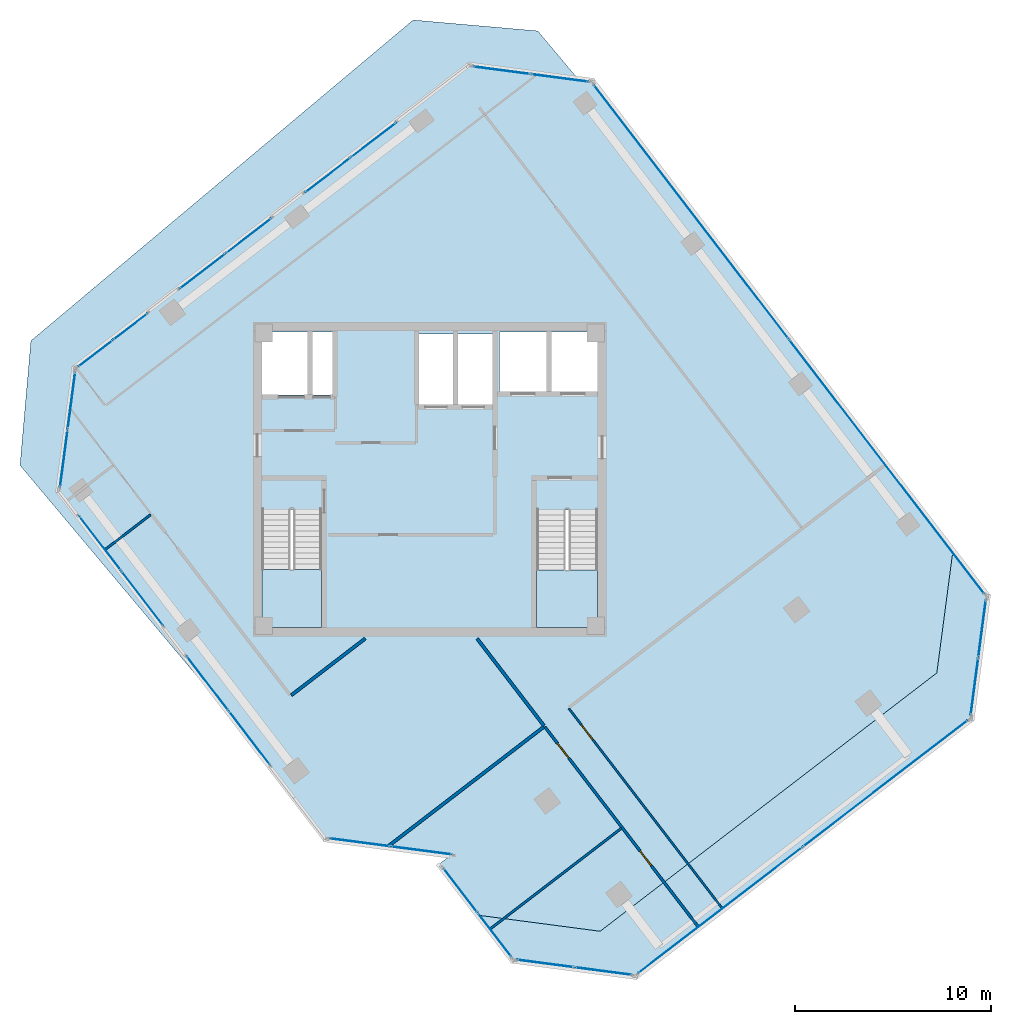
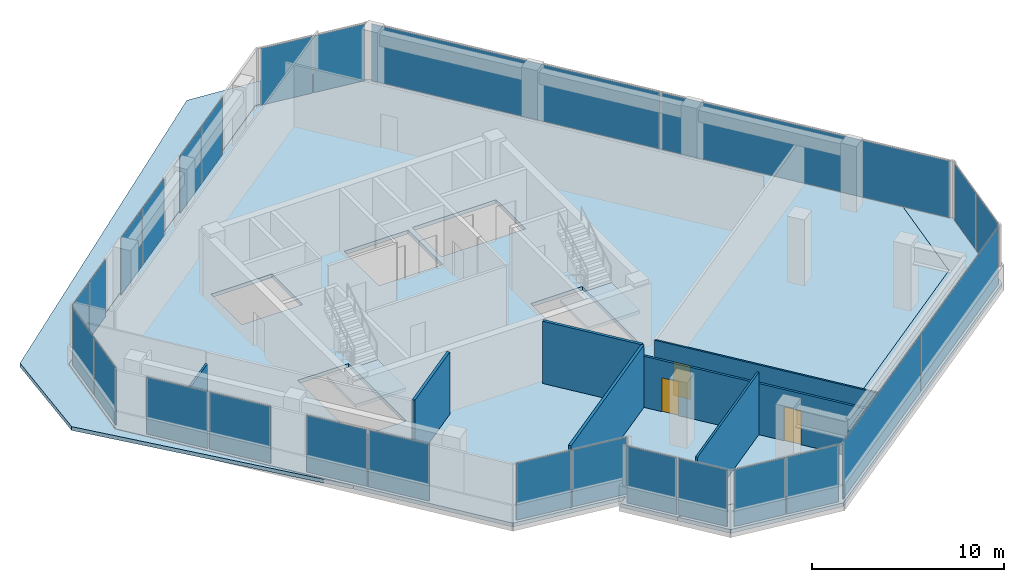
# One storey, part 12 of 17: 26 plates, 7 walls, 5 slabs, 3 doors, 3 openings, 15 elements without a shape of their own.
"""IFC4 building model written with IfcOpenShell, lengths in metres."""

from ifc_helpers import new_model, si_unit, direction, frame, frame_2d, origin, origin_2d, place, context, subcontext, project, spatial, polyline, rectangle, outline, extrude, source, transform, mapped, material, layer, layer_set, type_object, element, fill, aggregate, save


model = new_model("IFC4")

# Units and contexts
model_context = context("Model", 3, precision=1e-05, world=origin(), true_north=direction((0.0, 1.0)))
body_context = subcontext(model_context, "Body", "Model", "MODEL_VIEW")
ifc_project = project(units=[si_unit("LENGTHUNIT", "METRE"), si_unit("AREAUNIT", "SQUARE_METRE"), si_unit("VOLUMEUNIT", "CUBIC_METRE"), si_unit("PLANEANGLEUNIT", "RADIAN"), si_unit("MASSUNIT", "GRAM", prefix="KILO")], contexts=[model_context])

# Site, building, storey
site_placement = place(None, origin())
site = spatial("IfcSite", under=ifc_project, at=site_placement, CompositionType="ELEMENT")
building_placement = place(site_placement, origin())
building = spatial("IfcBuilding", under=site, at=building_placement, Name="Torre Montelarca", CompositionType="ELEMENT")
storey_placement = place(building_placement, frame((0.0, 0.0, 279.39990234375)))
storey = spatial("IfcBuildingStorey", under=building, at=storey_placement, Name="L63", CompositionType="ELEMENT", Elevation=279.39990234375)

# Slabs
ifc_material_1 = material(Name="Concrete C40/50", Category="concrete")
ifc_layer_1 = layer(ifc_material_1, 0.239990234375, Name="Concrete C40/50", Category="concrete")
ifc_layer_set_1 = layer_set([ifc_layer_1], Name="Concrete C40/50")
slab_type_1 = type_object("IfcSlabType", Name="SL-FLR-240", PredefinedType="FLOOR", material=ifc_layer_set_1)
slab_1_placement = place(storey_placement, frame((0.0, 0.0, -0.239990234375)))
element("IfcSlab", 1, at=slab_1_placement, inside=storey, type_object=slab_type_1, Name="L63 Structural Floor Slab", PredefinedType="FLOOR", context=body_context, shape_type="SweptSolid", body=[
    extrude(outline(polyline([(12.66162109375, 13.62158203125), (18.97119140625, 12.791015625), (18.415771484375, 12.364990234375), (20.36376953125, 9.826171875), (26.67333984375, 8.99560546875), (43.809814453125, 22.144775390625), (44.640380859375, 28.454345703125), (26.316650390625, 52.334228515625), (20.007080078125, 53.164794921875), (-0.14404296875, 37.702392578125), (-0.974609375, 31.392822265625), (12.66162109375, 13.62158203125)]), holes=[polyline([(26.550048828125, 24.449951171875), (23.43994140625, 24.449951171875), (23.43994140625, 30.429931640625), (26.550048828125, 30.429931640625), (26.550048828125, 24.449951171875)]), polyline([(12.5, 24.449951171875), (9.449951171875, 24.449951171875), (9.449951171875, 30.4599609375), (12.5, 30.4599609375), (12.5, 24.449951171875)]), polyline([(21.25, 39.39990234375), (21.25, 35.800048828125), (17.39990234375, 35.800048828125), (17.39990234375, 39.39990234375), (21.25, 39.39990234375)]), polyline([(13.1201171875, 36.300048828125), (9.449951171875, 36.300048828125), (9.449951171875, 39.5), (13.1201171875, 39.5), (13.1201171875, 36.300048828125)]), polyline([(26.60009765625, 36.449951171875), (21.550048828125, 36.449951171875), (21.550048828125, 39.5), (26.60009765625, 39.5), (26.60009765625, 36.449951171875)])]), origin(), (0.0, 0.0, 1.0), 0.239990234375),
])
slab_2_placement = place(storey_placement, frame((0.0, 0.0, -0.239990234375)))
element("IfcSlab", 2, at=slab_2_placement, inside=storey, type_object=slab_type_1, Name="L63 Sliding Tray Winter Garden Floor Slab E1", PredefinedType="FLOOR", context=body_context, shape_type="SweptSolid", body=[
    extrude(outline(polyline([(44.640380859375, 28.454345703125), (43.809814453125, 22.144775390625), (26.67333984375, 8.99560546875), (20.36376953125, 9.826171875), (22.190185546875, 7.446044921875), (28.49951171875, 6.615478515625), (45.635986328125, 19.7646484375), (46.466796875, 26.07421875), (44.640380859375, 28.454345703125)])), origin(), (0.0, 0.0, 1.0), 0.239990234375),
])
ifc_material_2 = material(Name="Architectural concrete C40/50", Category="concrete")
ifc_layer_2 = layer(ifc_material_2, 0.239990234375, Name="Architectural concrete C40/50", Category="concrete")
ifc_layer_set_2 = layer_set([ifc_layer_2], Name="Architectural concrete C40/50")
slab_type_2 = type_object("IfcSlabType", Name="SL-ROOF-EXT-240", PredefinedType="ROOF", material=ifc_layer_set_2)
slab_3_placement = place(storey_placement, frame((0.0, 0.0, -0.239990234375)))
element("IfcSlab", 3, at=slab_3_placement, inside=storey, type_object=slab_type_2, Name="L62 Setback and Tray Overhang Roof Cap Slab 01", PredefinedType="ROOF", context=body_context, shape_type="SweptSolid", body=[
    extrude(outline(polyline([(-0.983154296875, 31.390625), (-0.151611328125, 37.70654296875), (20.0048828125, 53.17333984375), (25.48681640625, 52.451416015625), (23.496826171875, 54.822998046875), (17.156982421875, 55.377685546875), (-2.300537109375, 39.05078125), (-2.855224609375, 32.711181640625), (7.18505859375, 20.74560546875), (-0.983154296875, 31.390625)])), origin(), (0.0, 0.0, 1.0), 0.239990234375),
])

# Stair, slab
stair_type_1 = type_object("IfcStairType", Name="ST-CORE-ST1", PredefinedType="HALF_TURN_STAIR", material=ifc_material_1)
stair_1_placement = place(storey_placement, origin())
stair_1 = element("IfcStair", 4, at=stair_1_placement, inside=storey, type_object=stair_type_1, Name="L63 Protected Exit Stair ST1", PredefinedType="HALF_TURN_STAIR")
ifc_layer_3 = layer(ifc_material_1, 0.199951171875, Name="Concrete C40/50", Category="concrete")
ifc_layer_set_3 = layer_set([ifc_layer_3], Name="Concrete C40/50")
slab_type_3 = type_object("IfcSlabType", Name="SL-ST-LAND-ST1", PredefinedType="LANDING", material=ifc_layer_set_3)
slab_4_placement = place(storey_placement, frame((0.0, 0.0, 1.900146484375)))
slab_4 = element("IfcSlab", 5, at=slab_4_placement, type_object=slab_type_3, Name="ST1 landing 1", PredefinedType="LANDING", context=body_context, shape_type="SweptSolid", body=[
    extrude(outline(polyline([(9.449951171875, 27.419921875), (9.449951171875, 24.449951171875), (12.5, 24.449951171875), (12.5, 27.419921875), (9.449951171875, 27.419921875)])), origin(), (0.0, 0.0, 1.0), 0.199951171875),
])
aggregate(stair_1, [slab_4])

stair_type_2 = type_object("IfcStairType", Name="ST-CORE-ST2", PredefinedType="HALF_TURN_STAIR", material=ifc_material_1)
stair_2_placement = place(storey_placement, origin())
stair_2 = element("IfcStair", 6, at=stair_2_placement, inside=storey, type_object=stair_type_2, Name="L63 Protected Exit Stair ST2", PredefinedType="HALF_TURN_STAIR")
ifc_layer_4 = layer(ifc_material_1, 0.199951171875, Name="Concrete C40/50", Category="concrete")
ifc_layer_set_4 = layer_set([ifc_layer_4], Name="Concrete C40/50")
slab_type_4 = type_object("IfcSlabType", Name="SL-ST-LAND-ST2", PredefinedType="LANDING", material=ifc_layer_set_4)
slab_5_placement = place(storey_placement, frame((0.0, 0.0, 1.900146484375)))
slab_5 = element("IfcSlab", 7, at=slab_5_placement, type_object=slab_type_4, Name="ST2 landing 1", PredefinedType="LANDING", context=body_context, shape_type="SweptSolid", body=[
    extrude(outline(polyline([(23.43994140625, 27.389892578125), (23.43994140625, 24.449951171875), (26.550048828125, 24.449951171875), (26.550048828125, 27.389892578125), (23.43994140625, 27.389892578125)])), origin(), (0.0, 0.0, 1.0), 0.199951171875),
])
aggregate(stair_2, [slab_5])

# Curtain wall, plates
ifc_material_3 = material(Name="Insulated low-E laminated glass", Category="glass")
curtain_wall_type = type_object("IfcCurtainWallType", Name="CW-SYS-Z3", PredefinedType="USERDEFINED", material=ifc_material_3)
curtain_wall_1_placement = place(storey_placement, origin())
curtain_wall_1 = element("IfcCurtainWall", 8, at=curtain_wall_1_placement, inside=storey, type_object=curtain_wall_type, Name="L63 Curtain Wall Run CW-T3-L63-E02-B1", ObjectType="UNITISED GLAZING", PredefinedType="USERDEFINED")
ifc_layer_5 = layer(ifc_material_3, 0.031982421875, Name="Insulated low-E laminated glass", Category="glass")
ifc_layer_set_5 = layer_set([ifc_layer_5], Name="Insulated low-E laminated glass")
plate_type = type_object("IfcPlateType", Name="CWP-GLZ-32", PredefinedType="CURTAIN_PANEL", material=ifc_layer_set_5)
shared_shape_1 = source(origin(), body_context, "Body", "SweptSolid", [
    extrude(rectangle(XDim=3.08740234375, YDim=0.031982421875, at=origin_2d()), origin(), (0.0, 0.0, 1.0), 3.610107421875),
])
plate_1_placement = place(storey_placement, frame((14.447998046875, 13.517578125, 0.05517578125), z_axis=(0.0, 0.0, 1.0), x_axis=(0.991446369584, -0.130514735715, 0.0)))
plate_1 = element("IfcPlate", 9, at=plate_1_placement, type_object=plate_type, Name="CW panel 1.1", PredefinedType="CURTAIN_PANEL", context=body_context, shape_type="MappedRepresentation", body=[
    mapped(shared_shape_1, transform((0.0, 0.0, 0.0), scale=1.0)),
])
plate_2_placement = place(storey_placement, frame((17.58349609375, 13.10498046875, 0.05517578125), z_axis=(0.0, 0.0, 1.0), x_axis=(0.991446369584, -0.130514735715, 0.0)))
plate_2 = element("IfcPlate", 10, at=plate_2_placement, type_object=plate_type, Name="CW panel 2.1", PredefinedType="CURTAIN_PANEL", context=body_context, shape_type="MappedRepresentation", body=[
    mapped(shared_shape_1, transform((0.0, 0.0, 0.0), scale=1.0)),
])
aggregate(curtain_wall_1, [plate_1, plate_2])

curtain_wall_2_placement = place(storey_placement, origin())
curtain_wall_2 = element("IfcCurtainWall", 11, at=curtain_wall_2_placement, inside=storey, type_object=curtain_wall_type, Name="L63 Curtain Wall Run CW-T3-L63-E05-B1", ObjectType="UNITISED GLAZING", PredefinedType="USERDEFINED")
shared_shape_2 = source(origin(), body_context, "Body", "SweptSolid", [
    extrude(rectangle(XDim=2.903564453125, YDim=0.031982421875, at=origin_2d()), origin(), (0.0, 0.0, 1.0), 3.610107421875),
])
plate_3_placement = place(storey_placement, frame((23.88525390625, 7.35400390625, 0.05517578125), z_axis=(0.0, 0.0, 1.0), x_axis=(0.991446450787, -0.130514118862, 0.0)))
plate_3 = element("IfcPlate", 12, at=plate_3_placement, type_object=plate_type, Name="CW panel 1.1", PredefinedType="CURTAIN_PANEL", context=body_context, shape_type="MappedRepresentation", body=[
    mapped(shared_shape_2, transform((0.0, 0.0, 0.0), scale=1.0)),
])
plate_4_placement = place(storey_placement, frame((26.83837890625, 6.96533203125, 0.05517578125), z_axis=(0.0, 0.0, 1.0), x_axis=(0.991446450787, -0.130514118862, 0.0)))
plate_4 = element("IfcPlate", 13, at=plate_4_placement, type_object=plate_type, Name="CW panel 2.1", PredefinedType="CURTAIN_PANEL", context=body_context, shape_type="MappedRepresentation", body=[
    mapped(shared_shape_2, transform((0.0, 0.0, 0.0), scale=1.0)),
])
aggregate(curtain_wall_2, [plate_3, plate_4])

curtain_wall_3_placement = place(storey_placement, origin())
curtain_wall_3 = element("IfcCurtainWall", 14, at=curtain_wall_3_placement, inside=storey, type_object=curtain_wall_type, Name="L63 Curtain Wall Run CW-T3-L63-E07-B1", ObjectType="UNITISED GLAZING", PredefinedType="USERDEFINED")
plate_5_placement = place(storey_placement, frame((45.72802734375, 21.4599609375, 0.05517578125), z_axis=(0.0, 0.0, 1.0), x_axis=(0.130514118862, 0.991446450787, 0.0)))
plate_5 = element("IfcPlate", 15, at=plate_5_placement, type_object=plate_type, Name="CW panel 1.1", PredefinedType="CURTAIN_PANEL", context=body_context, shape_type="MappedRepresentation", body=[
    mapped(shared_shape_2, transform((0.0, 0.0, 0.0), scale=1.0)),
])
plate_6_placement = place(storey_placement, frame((46.116943359375, 24.4130859375, 0.05517578125), z_axis=(0.0, 0.0, 1.0), x_axis=(0.130514118862, 0.991446450787, 0.0)))
plate_6 = element("IfcPlate", 16, at=plate_6_placement, type_object=plate_type, Name="CW panel 2.1", PredefinedType="CURTAIN_PANEL", context=body_context, shape_type="MappedRepresentation", body=[
    mapped(shared_shape_2, transform((0.0, 0.0, 0.0), scale=1.0)),
])
aggregate(curtain_wall_3, [plate_5, plate_6])

curtain_wall_4_placement = place(storey_placement, origin())
curtain_wall_4 = element("IfcCurtainWall", 17, at=curtain_wall_4_placement, inside=storey, type_object=curtain_wall_type, Name="L63 Curtain Wall Run CW-T3-L63-E09-B1", ObjectType="UNITISED GLAZING", PredefinedType="USERDEFINED")
plate_7_placement = place(storey_placement, frame((24.62158203125, 52.42626953125, 0.05517578125), z_axis=(0.0, 0.0, 1.0), x_axis=(-0.991446450787, 0.130514118862, 0.0)))
plate_7 = element("IfcPlate", 18, at=plate_7_placement, type_object=plate_type, Name="CW panel 1.1", PredefinedType="CURTAIN_PANEL", context=body_context, shape_type="MappedRepresentation", body=[
    mapped(shared_shape_2, transform((0.0, 0.0, 0.0), scale=1.0)),
])
plate_8_placement = place(storey_placement, frame((21.66845703125, 52.81494140625, 0.05517578125), z_axis=(0.0, 0.0, 1.0), x_axis=(-0.991446450787, 0.130514118862, 0.0)))
plate_8 = element("IfcPlate", 19, at=plate_8_placement, type_object=plate_type, Name="CW panel 2.1", PredefinedType="CURTAIN_PANEL", context=body_context, shape_type="MappedRepresentation", body=[
    mapped(shared_shape_2, transform((0.0, 0.0, 0.0), scale=1.0)),
])
aggregate(curtain_wall_4, [plate_7, plate_8])

curtain_wall_5_placement = place(storey_placement, origin())
curtain_wall_5 = element("IfcCurtainWall", 20, at=curtain_wall_5_placement, inside=storey, type_object=curtain_wall_type, Name="L63 Curtain Wall Run CW-T3-L63-E11-B1", ObjectType="UNITISED GLAZING", PredefinedType="USERDEFINED")
plate_9_placement = place(storey_placement, frame((-0.236083984375, 36.007080078125, 0.05517578125), z_axis=(0.0, 0.0, 1.0), x_axis=(-0.130514118862, -0.991446450787, 0.0)))
plate_9 = element("IfcPlate", 21, at=plate_9_placement, type_object=plate_type, Name="CW panel 1.1", PredefinedType="CURTAIN_PANEL", context=body_context, shape_type="MappedRepresentation", body=[
    mapped(shared_shape_2, transform((0.0, 0.0, 0.0), scale=1.0)),
])
plate_10_placement = place(storey_placement, frame((-0.624755859375, 33.053955078125, 0.05517578125), z_axis=(0.0, 0.0, 1.0), x_axis=(-0.130514118862, -0.991446450787, 0.0)))
plate_10 = element("IfcPlate", 22, at=plate_10_placement, type_object=plate_type, Name="CW panel 2.1", PredefinedType="CURTAIN_PANEL", context=body_context, shape_type="MappedRepresentation", body=[
    mapped(shared_shape_2, transform((0.0, 0.0, 0.0), scale=1.0)),
])
aggregate(curtain_wall_5, [plate_9, plate_10])

curtain_wall_6_placement = place(storey_placement, origin())
curtain_wall_6 = element("IfcCurtainWall", 23, at=curtain_wall_6_placement, inside=storey, type_object=curtain_wall_type, Name="L63 Curtain Wall Run CW-T3-L63-E06-B1", ObjectType="UNITISED GLAZING", PredefinedType="USERDEFINED")
shared_shape_3 = source(origin(), body_context, "Body", "SweptSolid", [
    extrude(rectangle(XDim=10.521728515625, YDim=0.031982421875, at=origin_2d()), origin(), (0.0, 0.0, 1.0), 3.610107421875),
])
plate_11_placement = place(storey_placement, frame((32.78515625, 10.06787109375, 0.05517578125), z_axis=(0.0, 0.0, 1.0), x_axis=(0.793351942978, 0.608763250019, 0.0)))
plate_11 = element("IfcPlate", 24, at=plate_11_placement, type_object=plate_type, Name="CW panel 1.1", PredefinedType="CURTAIN_PANEL", context=body_context, shape_type="MappedRepresentation", body=[
    mapped(shared_shape_3, transform((0.0, 0.0, 0.0), scale=1.0)),
])
plate_12_placement = place(storey_placement, frame((41.192138671875, 16.5185546875, 0.05517578125), z_axis=(0.0, 0.0, 1.0), x_axis=(0.793351942978, 0.608763250019, 0.0)))
plate_12 = element("IfcPlate", 25, at=plate_12_placement, type_object=plate_type, Name="CW panel 2.1", PredefinedType="CURTAIN_PANEL", context=body_context, shape_type="MappedRepresentation", body=[
    mapped(shared_shape_3, transform((0.0, 0.0, 0.0), scale=1.0)),
])
aggregate(curtain_wall_6, [plate_11, plate_12])

curtain_wall_7_placement = place(storey_placement, origin())
curtain_wall_7 = element("IfcCurtainWall", 26, at=curtain_wall_7_placement, inside=storey, type_object=curtain_wall_type, Name="L63 Curtain Wall Run CW-T3-L63-E10-B1", ObjectType="UNITISED GLAZING", PredefinedType="USERDEFINED")
shared_shape_4 = source(origin(), body_context, "Body", "SweptSolid", [
    extrude(rectangle(XDim=2.857421875, YDim=0.031982421875, at=origin_2d()), origin(), (0.0, 0.0, 1.0), 3.610107421875),
])
plate_13_placement = place(storey_placement, frame((15.140625, 49.266845703125, 0.05517578125), z_axis=(0.0, 0.0, 1.0), x_axis=(-0.793347521215, -0.608769012502, 0.0)))
plate_13 = element("IfcPlate", 27, at=plate_13_placement, type_object=plate_type, Name="CW panel 1.1", PredefinedType="CURTAIN_PANEL", context=body_context, shape_type="MappedRepresentation", body=[
    mapped(shared_shape_4, transform((0.0, 0.0, 0.0), scale=1.0)),
])
plate_14_placement = place(storey_placement, frame((12.814208984375, 47.481689453125, 0.05517578125), z_axis=(0.0, 0.0, 1.0), x_axis=(-0.793347521215, -0.608769012502, 0.0)))
plate_14 = element("IfcPlate", 28, at=plate_14_placement, type_object=plate_type, Name="CW panel 2.1", PredefinedType="CURTAIN_PANEL", context=body_context, shape_type="MappedRepresentation", body=[
    mapped(shared_shape_4, transform((0.0, 0.0, 0.0), scale=1.0)),
])
aggregate(curtain_wall_7, [plate_13, plate_14])

curtain_wall_8_placement = place(storey_placement, origin())
curtain_wall_8 = element("IfcCurtainWall", 29, at=curtain_wall_8_placement, inside=storey, type_object=curtain_wall_type, Name="L63 Curtain Wall Run CW-T3-L63-E01-B1", ObjectType="UNITISED GLAZING", PredefinedType="USERDEFINED")
shared_shape_5 = source(origin(), body_context, "Body", "SweptSolid", [
    extrude(rectangle(XDim=3.45751953125, YDim=0.031982421875, at=origin_2d()), origin(), (0.0, 0.0, 1.0), 3.610107421875),
])
plate_15_placement = place(storey_placement, frame((1.21875, 28.747802734375, 0.05517578125), z_axis=(0.0, 0.0, 1.0), x_axis=(0.608768152979, -0.793348180762, 0.0)))
plate_15 = element("IfcPlate", 30, at=plate_15_placement, type_object=plate_type, Name="CW panel 1.1", PredefinedType="CURTAIN_PANEL", context=body_context, shape_type="MappedRepresentation", body=[
    mapped(shared_shape_5, transform((0.0, 0.0, 0.0), scale=1.0)),
])
plate_16_placement = place(storey_placement, frame((3.369140625, 25.9453125, 0.05517578125), z_axis=(0.0, 0.0, 1.0), x_axis=(0.608768152979, -0.793348180762, 0.0)))
plate_16 = element("IfcPlate", 31, at=plate_16_placement, type_object=plate_type, Name="CW panel 2.1", PredefinedType="CURTAIN_PANEL", context=body_context, shape_type="MappedRepresentation", body=[
    mapped(shared_shape_5, transform((0.0, 0.0, 0.0), scale=1.0)),
])
aggregate(curtain_wall_8, [plate_15, plate_16])

curtain_wall_9_placement = place(storey_placement, origin())
curtain_wall_9 = element("IfcCurtainWall", 32, at=curtain_wall_9_placement, inside=storey, type_object=curtain_wall_type, Name="L63 Curtain Wall Run CW-T3-L63-E08-B1", ObjectType="UNITISED GLAZING", PredefinedType="USERDEFINED")
shared_shape_6 = source(origin(), body_context, "Body", "SweptSolid", [
    extrude(rectangle(XDim=16.271728515625, YDim=0.031982421875, at=origin_2d()), origin(), (0.0, 0.0, 1.0), 3.610107421875),
])
plate_17_placement = place(storey_placement, frame((41.26416015625, 32.640625, 0.05517578125), z_axis=(0.0, 0.0, 1.0), x_axis=(-0.60876098773, 0.793353678896, 0.0)))
plate_17 = element("IfcPlate", 33, at=plate_17_placement, type_object=plate_type, Name="CW panel 1.1", PredefinedType="CURTAIN_PANEL", context=body_context, shape_type="MappedRepresentation", body=[
    mapped(shared_shape_6, transform((0.0, 0.0, 0.0), scale=1.0)),
])
plate_18_placement = place(storey_placement, frame((31.31298828125, 45.609375, 0.05517578125), z_axis=(0.0, 0.0, 1.0), x_axis=(-0.60876098773, 0.793353678896, 0.0)))
plate_18 = element("IfcPlate", 34, at=plate_18_placement, type_object=plate_type, Name="CW panel 2.1", PredefinedType="CURTAIN_PANEL", context=body_context, shape_type="MappedRepresentation", body=[
    mapped(shared_shape_6, transform((0.0, 0.0, 0.0), scale=1.0)),
])
aggregate(curtain_wall_9, [plate_17, plate_18])

curtain_wall_10_placement = place(storey_placement, origin())
curtain_wall_10 = element("IfcCurtainWall", 35, at=curtain_wall_10_placement, inside=storey, type_object=curtain_wall_type, Name="L63 Curtain Wall Run CW-T3-L63-E04-B1", ObjectType="UNITISED GLAZING", PredefinedType="USERDEFINED")
shared_shape_7 = source(origin(), body_context, "Body", "SweptSolid", [
    extrude(rectangle(XDim=2.78369140625, YDim=0.031982421875, at=origin_2d()), origin(), (0.0, 0.0, 1.0), 3.610107421875),
])
plate_19_placement = place(storey_placement, frame((19.55908203125, 11.08837890625, 0.05517578125), z_axis=(0.0, 0.0, 1.0), x_axis=(0.608761678082, -0.793353149171, 0.0)))
plate_19 = element("IfcPlate", 36, at=plate_19_placement, type_object=plate_type, Name="CW panel 1.1", PredefinedType="CURTAIN_PANEL", context=body_context, shape_type="MappedRepresentation", body=[
    mapped(shared_shape_7, transform((0.0, 0.0, 0.0), scale=1.0)),
])
plate_20_placement = place(storey_placement, frame((21.29931640625, 8.820556640625, 0.05517578125), z_axis=(0.0, 0.0, 1.0), x_axis=(0.608761678082, -0.793353149171, 0.0)))
plate_20 = element("IfcPlate", 37, at=plate_20_placement, type_object=plate_type, Name="CW panel 2.1", PredefinedType="CURTAIN_PANEL", context=body_context, shape_type="MappedRepresentation", body=[
    mapped(shared_shape_7, transform((0.0, 0.0, 0.0), scale=1.0)),
])
aggregate(curtain_wall_10, [plate_19, plate_20])

curtain_wall_11_placement = place(storey_placement, origin())
curtain_wall_11 = element("IfcCurtainWall", 38, at=curtain_wall_11_placement, inside=storey, type_object=curtain_wall_type, Name="L63 Curtain Wall Run CW-T3-L63-E01-B2", ObjectType="UNITISED GLAZING", PredefinedType="USERDEFINED")
shared_shape_8 = source(origin(), body_context, "Body", "SweptSolid", [
    extrude(rectangle(XDim=3.432373046875, YDim=0.031982421875, at=origin_2d()), origin(), (0.0, 0.0, 1.0), 3.610107421875),
])
plate_21_placement = place(storey_placement, frame((6.68994140625, 21.617431640625, 0.05517578125), z_axis=(0.0, 0.0, 1.0), x_axis=(0.608764905268, -0.793350672852, 0.0)))
plate_21 = element("IfcPlate", 39, at=plate_21_placement, type_object=plate_type, Name="CW panel 1.1", PredefinedType="CURTAIN_PANEL", context=body_context, shape_type="MappedRepresentation", body=[
    mapped(shared_shape_8, transform((0.0, 0.0, 0.0), scale=1.0)),
])
plate_22_placement = place(storey_placement, frame((8.8251953125, 18.8349609375, 0.05517578125), z_axis=(0.0, 0.0, 1.0), x_axis=(0.608764905268, -0.793350672852, 0.0)))
plate_22 = element("IfcPlate", 40, at=plate_22_placement, type_object=plate_type, Name="CW panel 2.1", PredefinedType="CURTAIN_PANEL", context=body_context, shape_type="MappedRepresentation", body=[
    mapped(shared_shape_8, transform((0.0, 0.0, 0.0), scale=1.0)),
])
aggregate(curtain_wall_11, [plate_21, plate_22])

curtain_wall_12_placement = place(storey_placement, origin())
curtain_wall_12 = element("IfcCurtainWall", 41, at=curtain_wall_12_placement, inside=storey, type_object=curtain_wall_type, Name="L63 Curtain Wall Run CW-T3-L63-E10-B2", ObjectType="UNITISED GLAZING", PredefinedType="USERDEFINED")
shared_shape_9 = source(origin(), body_context, "Body", "SweptSolid", [
    extrude(rectangle(XDim=2.882568359375, YDim=0.031982421875, at=origin_2d()), origin(), (0.0, 0.0, 1.0), 3.610107421875),
])
plate_23_placement = place(storey_placement, frame((8.783935546875, 44.38916015625, 0.05517578125), z_axis=(0.0, 0.0, 1.0), x_axis=(-0.793344577032, -0.60877284934, 0.0)))
plate_23 = element("IfcPlate", 42, at=plate_23_placement, type_object=plate_type, Name="CW panel 1.1", PredefinedType="CURTAIN_PANEL", context=body_context, shape_type="MappedRepresentation", body=[
    mapped(shared_shape_9, transform((0.0, 0.0, 0.0), scale=1.0)),
])
plate_24_placement = place(storey_placement, frame((6.437744140625, 42.588623046875, 0.05517578125), z_axis=(0.0, 0.0, 1.0), x_axis=(-0.793344577032, -0.60877284934, 0.0)))
plate_24 = element("IfcPlate", 43, at=plate_24_placement, type_object=plate_type, Name="CW panel 2.1", PredefinedType="CURTAIN_PANEL", context=body_context, shape_type="MappedRepresentation", body=[
    mapped(shared_shape_9, transform((0.0, 0.0, 0.0), scale=1.0)),
])
aggregate(curtain_wall_12, [plate_23, plate_24])

curtain_wall_13_placement = place(storey_placement, origin())
curtain_wall_13 = element("IfcCurtainWall", 44, at=curtain_wall_13_placement, inside=storey, type_object=curtain_wall_type, Name="L63 Curtain Wall Run CW-T3-L63-E10-B3", ObjectType="UNITISED GLAZING", PredefinedType="USERDEFINED")
shared_shape_10 = source(origin(), body_context, "Body", "SweptSolid", [
    extrude(rectangle(XDim=2.16455078125, YDim=0.031982421875, at=origin_2d()), origin(), (0.0, 0.0, 1.0), 3.610107421875),
])
plate_25_placement = place(storey_placement, frame((2.76171875, 39.76806640625, 0.05517578125), z_axis=(0.0, 0.0, 1.0), x_axis=(-0.793356430541, -0.608757401695, 0.0)))
plate_25 = element("IfcPlate", 45, at=plate_25_placement, type_object=plate_type, Name="CW panel 1.1", PredefinedType="CURTAIN_PANEL", context=body_context, shape_type="MappedRepresentation", body=[
    mapped(shared_shape_10, transform((0.0, 0.0, 0.0), scale=1.0)),
])
plate_26_placement = place(storey_placement, frame((0.98486328125, 38.404541015625, 0.05517578125), z_axis=(0.0, 0.0, 1.0), x_axis=(-0.793356430541, -0.608757401695, 0.0)))
plate_26 = element("IfcPlate", 46, at=plate_26_placement, type_object=plate_type, Name="CW panel 2.1", PredefinedType="CURTAIN_PANEL", context=body_context, shape_type="MappedRepresentation", body=[
    mapped(shared_shape_10, transform((0.0, 0.0, 0.0), scale=1.0)),
])
aggregate(curtain_wall_13, [plate_25, plate_26])

# Walls
ifc_material_4 = material(Name="Gypsum plasterboard on steel stud", Category="steel")
ifc_layer_6 = layer(ifc_material_4, 0.159912109375, Name="Gypsum plasterboard on steel stud", Category="steel")
ifc_layer_set_6 = layer_set([ifc_layer_6], Name="Gypsum plasterboard on steel stud")
wall_type_1 = type_object("IfcWallType", Name="PW-FIRE-160", PredefinedType="PARTITIONING", material=ifc_layer_set_6)
wall_1_placement = place(storey_placement, frame((10.9521484375, 21.00732421875, 0.0), z_axis=(0.0, 0.0, 1.0), x_axis=(0.793369431695, 0.608740457709, 0.0)))
element("IfcWall", 47, at=wall_1_placement, inside=storey, type_object=wall_type_1, Name="L63 Interior Partition W-L63-SOCCW3", PredefinedType="PARTITIONING", context=body_context, shape_type="SweptSolid", body=[
    extrude(rectangle(XDim=4.74462890625, YDim=0.159912109375, at=frame_2d((2.372314453125, 0.0))), origin(), (0.0, 0.0, 1.0), 3.960205078125),
])
wall_2_placement = place(storey_placement, frame((20.413818359375, 23.88818359375, 0.0), z_axis=(0.0, 0.0, 1.0), x_axis=(0.608740736079, -0.793369218106, 0.0)))
element("IfcWall", 48, at=wall_2_placement, inside=storey, type_object=wall_type_1, Name="L63 Interior Partition W-L63-SOCCN3", PredefinedType="PARTITIONING", context=body_context, shape_type="SweptSolid", body=[
    extrude(rectangle(XDim=5.58544921875, YDim=0.159912109375, at=frame_2d((2.792724609375, 0.0))), origin(), (0.0, 0.0, 1.0), 3.960205078125),
])
wall_3_placement = place(storey_placement, frame((15.93505859375, 13.360595703125, 0.0), z_axis=(0.0, 0.0, 1.0), x_axis=(0.793355203048, 0.608759001409, 0.0)))
element("IfcWall", 49, at=wall_3_placement, inside=storey, type_object=wall_type_1, Name="L63 Interior Partition W-L63-ECS", PredefinedType="PARTITIONING", context=body_context, shape_type="SweptSolid", body=[
    extrude(rectangle(XDim=9.921875, YDim=0.159912109375, at=frame_2d((4.9609375, 0.0))), origin(), (0.0, 0.0, 1.0), 3.960205078125),
])

# Wall, opening, door
ifc_material_5 = material(Name="Acoustic laminated glass partition", Category="glass")
ifc_layer_7 = layer(ifc_material_5, 0.10009765625, Name="Acoustic laminated glass partition", Category="glass")
ifc_layer_set_7 = layer_set([ifc_layer_7], Name="Acoustic laminated glass partition")
wall_type_2 = type_object("IfcWallType", Name="PW-GLAZ-100", PredefinedType="PARTITIONING", material=ifc_layer_set_7)
wall_4_placement = place(storey_placement, frame((25.084716796875, 20.330810546875, 0.0), z_axis=(0.0, 0.0, 1.0), x_axis=(0.608748325205, -0.793363395022, 0.0)))
wall_4 = element("IfcWall", 50, at=wall_4_placement, inside=storey, type_object=wall_type_2, Name="L63 Interior Partition W-L63-NE-S", PredefinedType="PARTITIONING", context=body_context, shape_type="SweptSolid", body=[
    extrude(rectangle(XDim=12.780029296875, YDim=0.10009765625, at=frame_2d((6.39013671875, 0.0))), origin(), (0.0, 0.0, 1.0), 3.252685546875),
])
opening_1_placement = place(wall_4_placement, frame((1.050048828125, 0.0, 0.0)))
opening_1 = element("IfcOpeningElement", 51, at=opening_1_placement, cuts=wall_4, Name="Opening ID-095", PredefinedType="OPENING", context=body_context, shape_type="SweptSolid", body=[
    extrude(rectangle(XDim=0.949951171875, YDim=2.14990234375, at=frame_2d((0.47509765625, 1.074951171875))), frame((0.0, 0.06005859375, 0.0), z_axis=(0.0, -1.0, 0.0), x_axis=(1.0, 0.0, 0.0)), (0.0, 0.0, 1.0), 0.1201171875),
])
ifc_material_6 = material(Name="Hardwood acoustic timber veneer", Category="wood")
door_type = type_object("IfcDoorType", Name="DR-INT-095", OperationType="NOTDEFINED", PredefinedType="DOOR", material=ifc_material_6)
shared_shape_11 = source(origin(), body_context, "Body", "SweptSolid", [
    extrude(rectangle(XDim=0.949951171875, YDim=2.14990234375, at=frame_2d((0.47509765625, 1.074951171875))), frame((0.0, 0.02490234375, 0.0), z_axis=(0.0, -1.0, 0.0), x_axis=(1.0, 0.0, 0.0)), (0.0, 0.0, 1.0), 0.050048828125),
])
door_1_placement = place(opening_1_placement, origin())
door_1 = element("IfcDoor", 52, at=door_1_placement, inside=storey, type_object=door_type, Name="L63 Interior Door 09", OperationType="SINGLE_SWING_LEFT", OverallHeight=2.14990234375, OverallWidth=0.949951171875, PredefinedType="DOOR", context=body_context, shape_type="MappedRepresentation", body=[
    mapped(shared_shape_11, transform((0.0, 0.0, 0.0), scale=1.0)),
])
fill(opening_1, door_1)

# Walls
ifc_layer_8 = layer(ifc_material_4, 0.114990234375, Name="Gypsum plasterboard on steel stud", Category="steel")
ifc_layer_set_8 = layer_set([ifc_layer_8], Name="Gypsum plasterboard on steel stud")
wall_type_3 = type_object("IfcWallType", Name="PW-PART-115", PredefinedType="PARTITIONING", material=ifc_layer_set_8)
wall_5_placement = place(storey_placement, frame((1.51171875, 28.447998046875, 0.0), z_axis=(0.0, 0.0, 1.0), x_axis=(0.793370260172, 0.608739377956, 0.0)))
element("IfcWall", 53, at=wall_5_placement, inside=storey, type_object=wall_type_3, Name="L63 Interior Partition W-L63-SWCDIV", PredefinedType="PARTITIONING", context=body_context, shape_type="SweptSolid", body=[
    extrude(rectangle(XDim=2.880126953125, YDim=0.114990234375, at=frame_2d((1.43994140625, 0.0))), origin(), (0.0, 0.0, 1.0), 3.195068359375),
])
wall_6_placement = place(storey_placement, frame((21.115234375, 9.142333984375, 0.0), z_axis=(0.0, 0.0, 1.0), x_axis=(0.793351209169, 0.608764206331, 0.0)))
element("IfcWall", 54, at=wall_6_placement, inside=storey, type_object=wall_type_3, Name="L63 Interior Partition W-L63-SEDIV-1", PredefinedType="PARTITIONING", context=body_context, shape_type="SweptSolid", body=[
    extrude(rectangle(XDim=8.380126953125, YDim=0.114990234375, at=frame_2d((4.18994140625, 0.0))), origin(), (0.0, 0.0, 1.0), 3.960205078125),
])

# Wall, openings, doors
ifc_layer_9 = layer(ifc_material_4, 0.135009765625, Name="Gypsum plasterboard on steel stud", Category="steel")
ifc_layer_set_9 = layer_set([ifc_layer_9], Name="Gypsum plasterboard on steel stud")
wall_type_4 = type_object("IfcWallType", Name="PW-PART-135", PredefinedType="PARTITIONING", material=ifc_layer_set_9)
wall_7_placement = place(storey_placement, frame((23.86279296875, 19.393310546875, 0.0), z_axis=(0.0, 0.0, 1.0), x_axis=(0.608748325205, -0.793363395022, 0.0)))
wall_7 = element("IfcWall", 55, at=wall_7_placement, inside=storey, type_object=wall_type_4, Name="L63 Interior Partition W-L63-SE-N", PredefinedType="PARTITIONING", context=body_context, shape_type="SweptSolid", body=[
    extrude(rectangle(XDim=12.780029296875, YDim=0.135009765625, at=frame_2d((6.39013671875, 0.0))), origin(), (0.0, 0.0, 1.0), 3.252685546875),
])
opening_2_placement = place(wall_7_placement, frame((1.050048828125, 0.0, 0.0)))
opening_2 = element("IfcOpeningElement", 56, at=opening_2_placement, cuts=wall_7, Name="Opening ID-095", PredefinedType="OPENING", context=body_context, shape_type="SweptSolid", body=[
    extrude(rectangle(XDim=0.949951171875, YDim=2.14990234375, at=frame_2d((0.47509765625, 1.074951171875))), frame((0.0, 0.07763671875, 0.0), z_axis=(0.0, -1.0, 0.0), x_axis=(1.0, 0.0, 0.0)), (0.0, 0.0, 1.0), 0.155029296875),
])
opening_3_placement = place(wall_7_placement, frame((7.949951171875, 0.0, 0.0)))
opening_3 = element("IfcOpeningElement", 57, at=opening_3_placement, cuts=wall_7, Name="Opening ID-095", PredefinedType="OPENING", context=body_context, shape_type="SweptSolid", body=[
    extrude(rectangle(XDim=0.949951171875, YDim=2.14990234375, at=frame_2d((0.47509765625, 1.074951171875))), frame((0.0, 0.07763671875, 0.0), z_axis=(0.0, -1.0, 0.0), x_axis=(1.0, 0.0, 0.0)), (0.0, 0.0, 1.0), 0.155029296875),
])
door_2_placement = place(opening_2_placement, origin())
door_2 = element("IfcDoor", 58, at=door_2_placement, inside=storey, type_object=door_type, Name="L63 Interior Door 10", OperationType="SINGLE_SWING_LEFT", OverallHeight=2.14990234375, OverallWidth=0.949951171875, PredefinedType="DOOR", context=body_context, shape_type="MappedRepresentation", body=[
    mapped(shared_shape_11, transform((0.0, 0.0, 0.0), scale=1.0)),
])
fill(opening_2, door_2)
door_3_placement = place(opening_3_placement, origin())
door_3 = element("IfcDoor", 59, at=door_3_placement, inside=storey, type_object=door_type, Name="L63 Interior Door 11", OperationType="SINGLE_SWING_RIGHT", OverallHeight=2.14990234375, OverallWidth=0.949951171875, PredefinedType="DOOR", context=body_context, shape_type="MappedRepresentation", body=[
    mapped(shared_shape_11, transform((0.0, 0.0, 0.0), scale=1.0)),
])
fill(opening_3, door_3)

save(model, "model.ifc")
